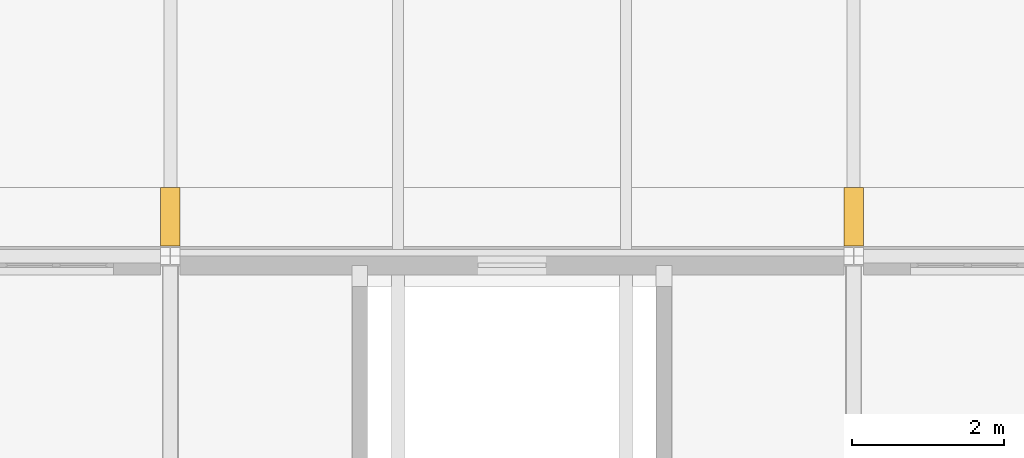
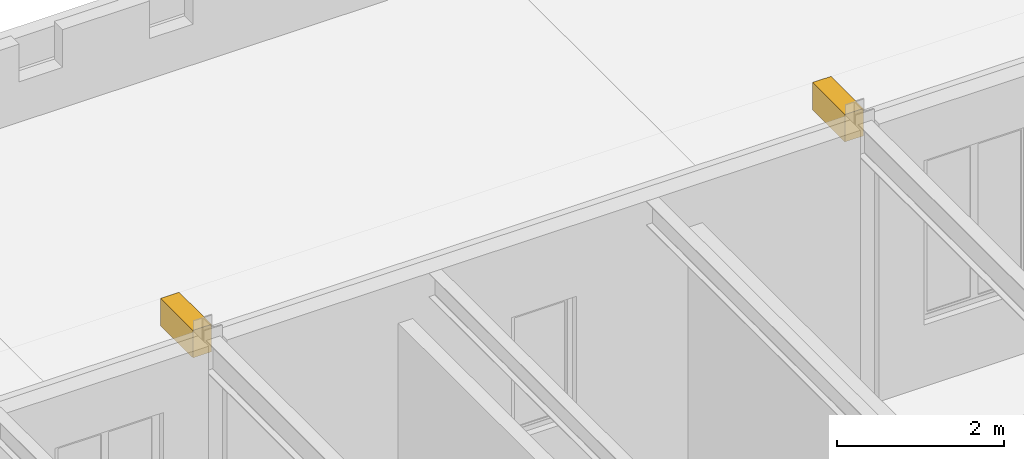
# One storey, part 116 of 123: 2 coverings.
"""IFC4 building model written with IfcOpenShell, lengths in metres."""

from ifc_helpers import new_model, si_unit, direction, frame, origin, place, context, subcontext, project, spatial, polyline, outline, extrude, material, type_object, element, save


model = new_model("IFC4")

# Units and contexts
model_context = context("Model", 3, precision=1e-05, world=origin(), true_north=direction((0.0, 1.0)))
body_context = subcontext(model_context, "Body", "Model", "MODEL_VIEW")
ifc_project = project(units=[si_unit("LENGTHUNIT", "METRE"), si_unit("AREAUNIT", "SQUARE_METRE"), si_unit("VOLUMEUNIT", "CUBIC_METRE"), si_unit("PLANEANGLEUNIT", "RADIAN"), si_unit("MASSUNIT", "GRAM", prefix="KILO")], contexts=[model_context])

# Site, building, storey
site_placement = place(None, origin())
site = spatial("IfcSite", under=ifc_project, at=site_placement, CompositionType="ELEMENT")
building_placement = place(site_placement, origin())
building = spatial("IfcBuilding", under=site, at=building_placement, Name="Baradari Gate Terminus", CompositionType="ELEMENT")
storey_placement = place(building_placement, frame((0.0, 0.0, 7.5)))
storey = spatial("IfcBuildingStorey", under=building, at=storey_placement, Name="L01", CompositionType="ELEMENT", Elevation=7.5)

# Coverings
ifc_material = material(Name="Concrete C40/50", Category="concrete")
covering_type = type_object("IfcCoveringType", Name="Precast cornice joint closer CO2", PredefinedType="CLADDING", material=ifc_material)
covering_1_placement = place(storey_placement, frame((0.0, 0.0, 3.64990234375)))
element("IfcCovering", 1, at=covering_1_placement, inside=storey, type_object=covering_type, Name="Precast cornice band joint closer", PredefinedType="CLADDING", context=body_context, shape_type="SweptSolid", body=[
    extrude(outline(polyline([(116.871826171875, 108.903564453125), (117.128173828125, 108.903564453125), (117.128173828125, 108.130126953125), (116.871826171875, 108.130126953125), (116.871826171875, 108.903564453125)])), origin(), (0.0, 0.0, 1.0), 0.400146484375),
])
covering_2_placement = place(storey_placement, frame((0.0, 0.0, 3.64990234375)))
element("IfcCovering", 2, at=covering_2_placement, inside=storey, type_object=covering_type, Name="Precast cornice band joint closer", PredefinedType="CLADDING", context=body_context, shape_type="SweptSolid", body=[
    extrude(outline(polyline([(125.871826171875, 108.903564453125), (126.128173828125, 108.903564453125), (126.128173828125, 108.130126953125), (125.871826171875, 108.130126953125), (125.871826171875, 108.903564453125)])), origin(), (0.0, 0.0, 1.0), 0.400146484375),
])

save(model, "model.ifc")
